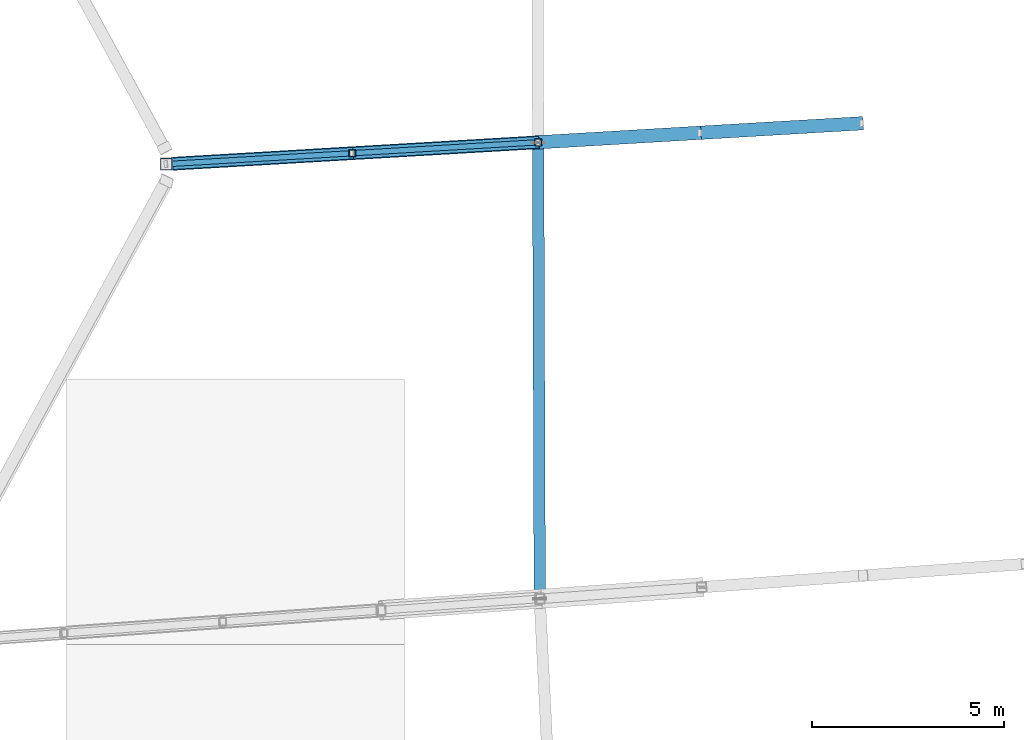
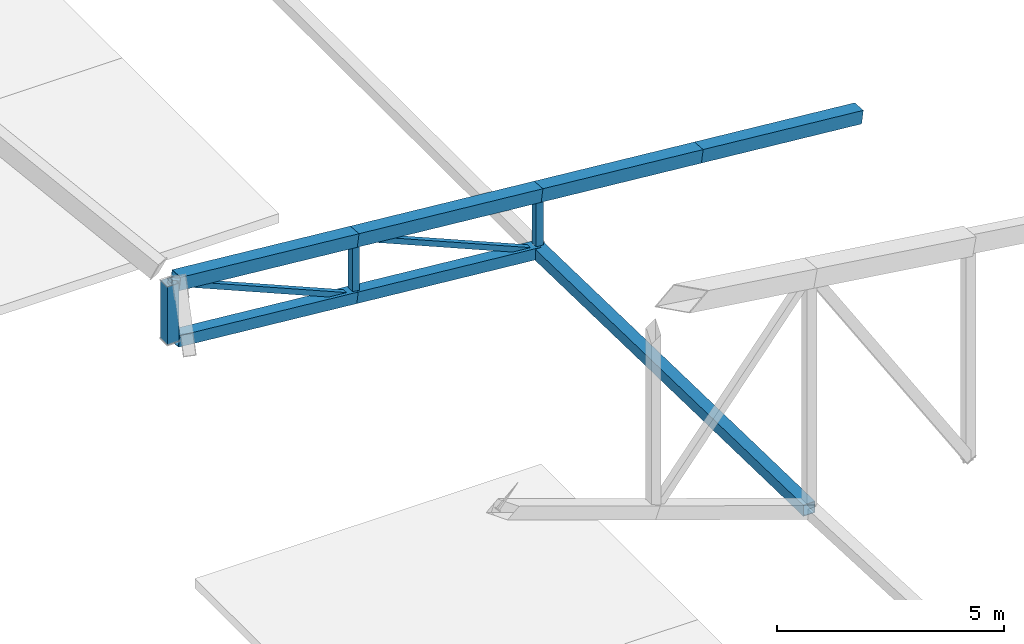
# One storey, part 33 of 188: 12 members.
"""IFC4 building model written with IfcOpenShell, lengths in metres."""

from ifc_helpers import new_model, si_unit, direction, frame, origin, origin_2d, place, context, subcontext, project, spatial, hollow_rectangle, extrude, material, material_profile, profile_set, type_object, element, save


model = new_model("IFC4")

# Units and contexts
model_context = context("Model", 3, precision=1e-05, world=origin(), true_north=direction((0.0, 1.0)))
body_context = subcontext(model_context, "Body", "Model", "MODEL_VIEW")
ifc_project = project(units=[si_unit("LENGTHUNIT", "METRE"), si_unit("AREAUNIT", "SQUARE_METRE"), si_unit("VOLUMEUNIT", "CUBIC_METRE"), si_unit("PLANEANGLEUNIT", "RADIAN"), si_unit("MASSUNIT", "GRAM", prefix="KILO")], contexts=[model_context])

# Site, building, storey
site_placement = place(None, origin())
site = spatial("IfcSite", under=ifc_project, at=site_placement, CompositionType="ELEMENT")
building_placement = place(site_placement, origin())
building = spatial("IfcBuilding", under=site, at=building_placement, Name="Meseta Stadium", CompositionType="ELEMENT")
storey_placement = place(building_placement, frame((0.0, 0.0, 30.0)))
storey = spatial("IfcBuildingStorey", under=building, at=storey_placement, Name="ROOF", CompositionType="ELEMENT", Elevation=30.0)

# Members
ifc_material_1 = material(Name="Steel S355", Category="steel")
ifc_material_profile_1 = material_profile(ifc_material_1, hollow_rectangle(XDim=0.139892578125, YDim=0.139892578125, WallThickness=0.0048828125, at=origin_2d()), Name="SHS 140x140x5")
ifc_profile_set_1 = profile_set([ifc_material_profile_1], Name="Steel S355")
member_type_1 = type_object("IfcMemberType", Name="SHS 140x140x5 diagonal", PredefinedType="BRACE", material=ifc_profile_set_1)
for number, where, z_axis, x_axis, name in (
    (1, (-84.92529296875, -30.681640625, 0.800048828125), (-0.908141634093, -0.053349998086, 0.415249985106), (0.058645231896, -0.998278887273, 0.0), "ROOF TRUSS RT-35 diagonal"),
    (2, (-89.7626953125, -30.9658203125, 1.45751953125), (-0.908141634093, -0.053349998086, 0.415249985106), (0.058645231896, -0.998278887273, 0.0), "ROOF TRUSS RT-35 diagonal"),
):
    element("IfcMember", number, at=place(storey_placement, frame(where, z_axis=z_axis, x_axis=x_axis)), inside=storey, type_object=member_type_1, Name=name, PredefinedType="BRACE", context=body_context, shape_type="SweptSolid", body=[
        extrude(hollow_rectangle(XDim=0.139892578125, YDim=0.139892578125, WallThickness=0.0048828125, at=origin_2d()), origin(), (0.0, 0.0, 1.0), 5.32666015625),
    ])
ifc_material_2 = material(Name="Steel S355", Category="steel")
ifc_material_profile_2 = material_profile(ifc_material_2, hollow_rectangle(XDim=0.179931640625, YDim=0.179931640625, WallThickness=0.00634765625, at=origin_2d()), Name="SHS 180x180x6.3")
ifc_profile_set_2 = profile_set([ifc_material_profile_2], Name="Steel S355")
member_type_2 = type_object("IfcMemberType", Name="SHS 180x180x6.3 post", PredefinedType="POST", material=ifc_profile_set_2)
for number, where, z_axis, x_axis, name in (
    (3, (-84.92529296875, -30.681640625, 0.800048828125), (0.0, 0.0, 1.0), (1.0, 0.0, 0.0), "ROOF TRUSS RT-35 post"),
    (4, (-89.7626953125, -30.9658203125, 1.45751953125), (0.0, 0.0, 1.0), (1.0, 0.0, 0.0), "ROOF TRUSS RT-35 post"),
):
    element("IfcMember", number, at=place(storey_placement, frame(where, z_axis=z_axis, x_axis=x_axis)), inside=storey, type_object=member_type_2, Name=name, PredefinedType="POST", context=body_context, shape_type="SweptSolid", body=[
        extrude(hollow_rectangle(XDim=0.179931640625, YDim=0.179931640625, WallThickness=0.00634765625, at=origin_2d()), origin(), (0.0, 0.0, 1.0), 1.554443359375),
    ])
ifc_material_3 = material(Name="Steel S355", Category="steel")
ifc_material_profile_3 = material_profile(ifc_material_3, hollow_rectangle(XDim=0.300048828125, YDim=0.300048828125, WallThickness=0.010009765625, at=origin_2d()), Name="SHS 300x300x10")
ifc_profile_set_3 = profile_set([ifc_material_profile_3], Name="Steel S355")
member_type_3 = type_object("IfcMemberType", Name="SHS 300x300x10 bottom chord", PredefinedType="CHORD", material=ifc_profile_set_3)
member_1_placement = place(storey_placement, frame((-84.92529296875, -30.681640625, 0.800048828125), z_axis=(-0.989215138937, -0.058112769846, 0.134448186593), x_axis=(0.058645231896, -0.998278887273, 0.0)))
element("IfcMember", 5, at=member_1_placement, inside=storey, type_object=member_type_3, Name="ROOF TRUSS RT-35 bottom chord", PredefinedType="CHORD", context=body_context, shape_type="SweptSolid", body=[
    extrude(hollow_rectangle(XDim=0.300048828125, YDim=0.300048828125, WallThickness=0.010009765625, at=origin_2d()), origin(), (0.0, 0.0, 1.0), 4.89013671875),
])
member_2_placement = place(storey_placement, frame((-89.7626953125, -30.9658203125, 1.45751953125), z_axis=(-0.989218469723, -0.058098429337, 0.134429876392), x_axis=(0.058630613009, -0.998279745972, 0.0)))
element("IfcMember", 6, at=member_2_placement, inside=storey, type_object=member_type_3, Name="ROOF TRUSS RT-35 bottom chord", PredefinedType="CHORD", context=body_context, shape_type="SweptSolid", body=[
    extrude(hollow_rectangle(XDim=0.300048828125, YDim=0.300048828125, WallThickness=0.010009765625, at=origin_2d()), origin(), (0.0, 0.0, 1.0), 4.739990234375),
])
ifc_material_4 = material(Name="Steel S355", Category="steel")
ifc_material_profile_4 = material_profile(ifc_material_4, hollow_rectangle(XDim=0.300048828125, YDim=0.300048828125, WallThickness=0.010009765625, at=origin_2d()), Name="SHS 300x300x10")
ifc_profile_set_4 = profile_set([ifc_material_profile_4], Name="Steel S355")
member_type_4 = type_object("IfcMemberType", Name="SHS 300x300x10 pivot strut", PredefinedType="STRUT", material=ifc_profile_set_4)
member_3_placement = place(storey_placement, frame((-84.92529296875, -30.681640625, 0.800048828125), z_axis=(0.003472432933, -0.999814121516, 0.018964826021), x_axis=(0.999993968917, 0.003473057557, 0.0)))
element("IfcMember", 7, at=member_3_placement, inside=storey, type_object=member_type_4, Name="ROOF PIVOT STRUT RT-35/36", PredefinedType="STRUT", context=body_context, shape_type="SweptSolid", body=[
    extrude(hollow_rectangle(XDim=0.300048828125, YDim=0.300048828125, WallThickness=0.010009765625, at=origin_2d()), origin(), (0.0, 0.0, 1.0), 11.882080078125),
])
ifc_material_5 = material(Name="Steel S355", Category="steel")
ifc_material_profile_5 = material_profile(ifc_material_5, hollow_rectangle(XDim=0.300048828125, YDim=0.300048828125, WallThickness=0.010009765625, at=origin_2d()), Name="SHS 300x300x10")
ifc_profile_set_5 = profile_set([ifc_material_profile_5], Name="Steel S355")
member_type_5 = type_object("IfcMemberType", Name="SHS 300x300x10 rim post", PredefinedType="POST", material=ifc_profile_set_5)
member_4_placement = place(storey_placement, frame((-94.60009765625, -31.25, 2.114990234375), z_axis=(0.0, 0.0, 1.0), x_axis=(1.0, 0.0, 0.0)))
element("IfcMember", 8, at=member_4_placement, inside=storey, type_object=member_type_5, Name="ROOF TRUSS RT-35 post", PredefinedType="POST", context=body_context, shape_type="SweptSolid", body=[
    extrude(hollow_rectangle(XDim=0.300048828125, YDim=0.300048828125, WallThickness=0.010009765625, at=origin_2d()), origin(), (0.0, 0.0, 1.0), 1.554443359375),
])
ifc_material_6 = material(Name="Steel S355", Category="steel")
ifc_material_profile_6 = material_profile(ifc_material_6, hollow_rectangle(XDim=0.35009765625, YDim=0.35009765625, WallThickness=0.010009765625, at=origin_2d()), Name="SHS 350x350x10")
ifc_profile_set_6 = profile_set([ifc_material_profile_6], Name="Steel S355")
member_type_6 = type_object("IfcMemberType", Name="SHS 350x350x10 top chord", PredefinedType="CHORD", material=ifc_profile_set_6)
member_5_placement = place(storey_placement, frame((-76.495361328125, -30.1865234375, 1.208984375), z_axis=(-0.98922021104, -0.058098424211, 0.134417064298), x_axis=(0.058630505001, -0.998279752316, 0.0)))
element("IfcMember", 9, at=member_5_placement, inside=storey, type_object=member_type_6, Name="ROOF TRUSS RT-35 top chord", PredefinedType="CHORD", context=body_context, shape_type="SweptSolid", body=[
    extrude(hollow_rectangle(XDim=0.35009765625, YDim=0.35009765625, WallThickness=0.010009765625, at=origin_2d()), origin(), (0.0, 0.0, 1.0), 4.260986328125),
])
member_6_placement = place(storey_placement, frame((-80.71044921875, -30.43408203125, 1.78173828125), z_axis=(-0.98921898231, -0.058101717334, 0.1344246833), x_axis=(0.05863388944, -0.998279553537, 0.0)))
element("IfcMember", 10, at=member_6_placement, inside=storey, type_object=member_type_6, Name="ROOF TRUSS RT-35 top chord", PredefinedType="CHORD", context=body_context, shape_type="SweptSolid", body=[
    extrude(hollow_rectangle(XDim=0.35009765625, YDim=0.35009765625, WallThickness=0.010009765625, at=origin_2d()), origin(), (0.0, 0.0, 1.0), 4.2607421875),
])
member_7_placement = place(storey_placement, frame((-84.92529296875, -30.681640625, 2.3544921875), z_axis=(-0.989215138937, -0.058112769846, 0.134448186593), x_axis=(0.058645231896, -0.998278887273, 0.0)))
element("IfcMember", 11, at=member_7_placement, inside=storey, type_object=member_type_6, Name="ROOF TRUSS RT-35 top chord", PredefinedType="CHORD", context=body_context, shape_type="SweptSolid", body=[
    extrude(hollow_rectangle(XDim=0.35009765625, YDim=0.35009765625, WallThickness=0.010009765625, at=origin_2d()), origin(), (0.0, 0.0, 1.0), 4.89013671875),
])
member_8_placement = place(storey_placement, frame((-89.7626953125, -30.9658203125, 3.011962890625), z_axis=(-0.989211619228, -0.058098026996, 0.134480450786), x_axis=(0.058630613009, -0.998279745972, 0.0)))
element("IfcMember", 12, at=member_8_placement, inside=storey, type_object=member_type_6, Name="ROOF TRUSS RT-35 top chord", PredefinedType="CHORD", context=body_context, shape_type="SweptSolid", body=[
    extrude(hollow_rectangle(XDim=0.35009765625, YDim=0.35009765625, WallThickness=0.010009765625, at=origin_2d()), origin(), (0.0, 0.0, 1.0), 4.739990234375),
])

save(model, "model.ifc")
